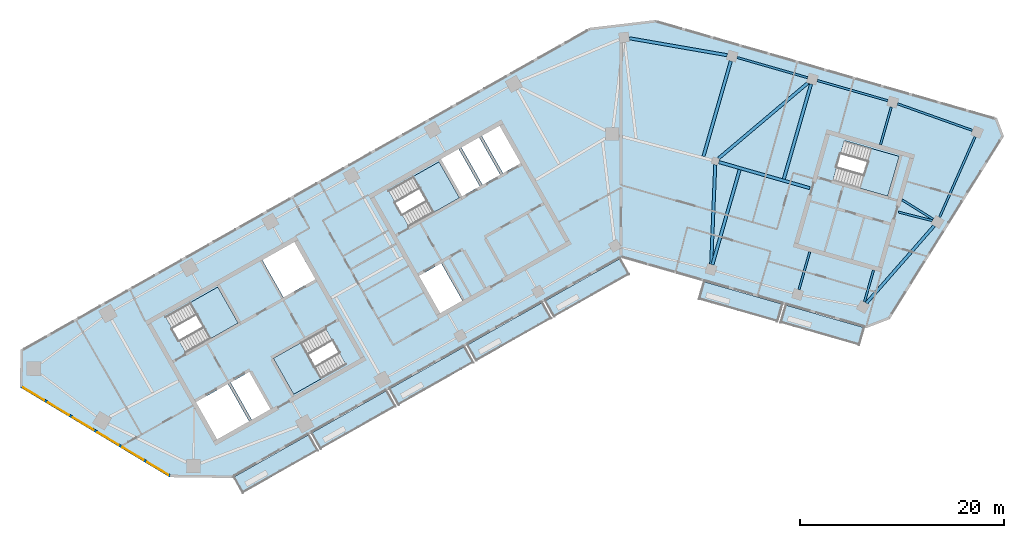
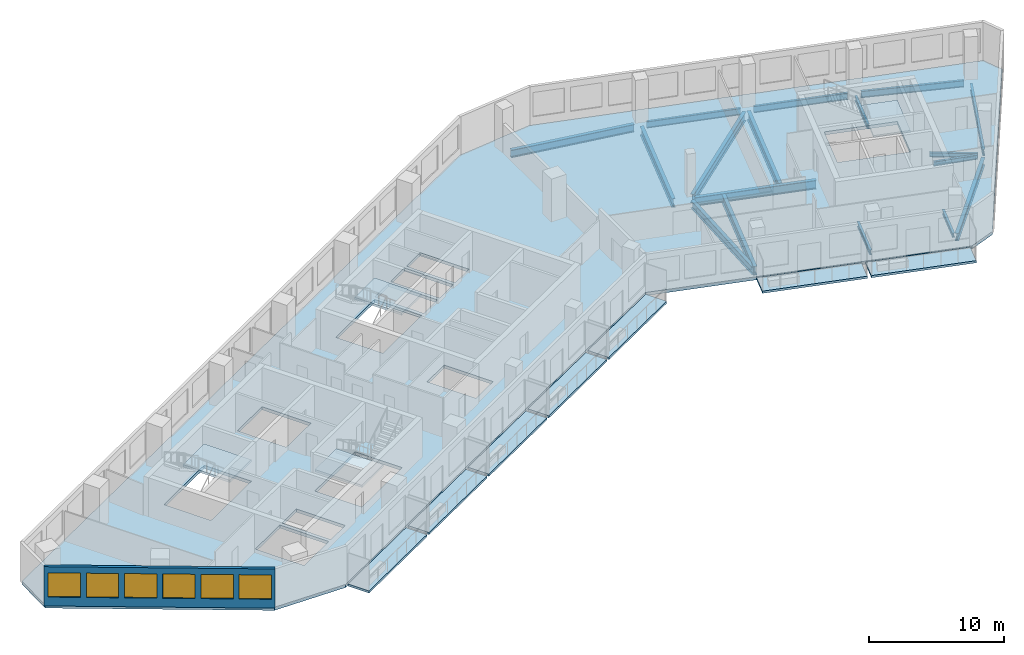
# One storey, part 2 of 11: 17 beams, 12 slabs, 6 windows, 1 wall, 6 openings, 4 elements without a shape of their own.
"""IFC4 building model written with IfcOpenShell, lengths in metres."""

from ifc_helpers import new_model, si_unit, direction, frame, frame_2d, origin, origin_2d, place, context, subcontext, project, spatial, polyline, rectangle, i_section, outline, extrude, material, layer, layer_set, material_profile, profile_set, type_object, element, fill, aggregate, save


model = new_model("IFC4")

# Units and contexts
model_context = context("Model", 3, precision=1e-05, world=origin(), true_north=direction((0.0, 1.0)))
body_context = subcontext(model_context, "Body", "Model", "MODEL_VIEW")
ifc_project = project(units=[si_unit("LENGTHUNIT", "METRE"), si_unit("AREAUNIT", "SQUARE_METRE"), si_unit("VOLUMEUNIT", "CUBIC_METRE"), si_unit("PLANEANGLEUNIT", "RADIAN"), si_unit("MASSUNIT", "GRAM", prefix="KILO")], contexts=[model_context])

# Site, building, storey
site_placement = place(None, origin())
site = spatial("IfcSite", under=ifc_project, at=site_placement, CompositionType="ELEMENT")
building_placement = place(site_placement, origin())
building = spatial("IfcBuilding", under=site, at=building_placement, Name="Binnacle Exchange Tower", CompositionType="ELEMENT")
storey_placement = place(building_placement, frame((0.0, 0.0, 227.0)))
storey = spatial("IfcBuildingStorey", under=building, at=storey_placement, Name="L50", CompositionType="ELEMENT", Elevation=227.0)

# Beams
ifc_material_1 = material(Name="Steel S355 (SHN355)", Category="steel")
ifc_material_profile_1 = material_profile(ifc_material_1, i_section(OverallWidth=0.199951171875, OverallDepth=0.60009765625, WebThickness=0.010986328125, FlangeThickness=0.01708984375, FilletRadius=0.02197265625, at=origin_2d()), Name="H 600x200x11x17")
ifc_profile_set_1 = profile_set([ifc_material_profile_1], Name="Steel S355 (SHN355)")
beam_type_1 = type_object("IfcBeamType", Name="Edge girder H 600x200x11x17 Steel S355 (SHN355)", PredefinedType="SPANDREL", material=ifc_profile_set_1)
beam_1_placement = place(storey_placement, frame((18.265625, 65.513916015625, -0.580078125), z_axis=(-0.961255050864, 0.275660528891, 0.0), x_axis=(-0.275660528891, -0.961255050864, 0.0)))
element("IfcBeam", 1, at=beam_1_placement, inside=storey, type_object=beam_type_1, Name="S:BM:edge:L50:029", PredefinedType="SPANDREL", context=body_context, shape_type="SweptSolid", body=[
    extrude(i_section(OverallWidth=0.199951171875, OverallDepth=0.60009765625, WebThickness=0.010986328125, FlangeThickness=0.01708984375, FilletRadius=0.02197265625, at=origin_2d()), origin(), (0.0, 0.0, 1.0), 7.1728515625),
])
beam_2_placement = place(storey_placement, frame((26.1220703125, 63.26123046875, -0.580078125), z_axis=(-0.96126665508, 0.275620060647, 0.0), x_axis=(-0.275620060647, -0.96126665508, 0.0)))
element("IfcBeam", 2, at=beam_2_placement, inside=storey, type_object=beam_type_1, Name="S:BM:edge:L50:031", PredefinedType="SPANDREL", context=body_context, shape_type="SweptSolid", body=[
    extrude(i_section(OverallWidth=0.199951171875, OverallDepth=0.60009765625, WebThickness=0.010986328125, FlangeThickness=0.01708984375, FilletRadius=0.02197265625, at=origin_2d()), origin(), (0.0, 0.0, 1.0), 7.173095703125),
])
ifc_material_profile_2 = material_profile(ifc_material_1, i_section(OverallWidth=0.200927734375, OverallDepth=0.60595703125, WebThickness=0.011962890625, FlangeThickness=0.02001953125, FilletRadius=0.02197265625, at=origin_2d()), Name="H 606x201x12x20")
ifc_profile_set_2 = profile_set([ifc_material_profile_2], Name="Steel S355 (SHN355)")
beam_type_2 = type_object("IfcBeamType", Name="Edge girder H 606x201x12x20 Steel S355 (SHN355)", PredefinedType="SPANDREL", material=ifc_profile_set_2)
beam_3_placement = place(storey_placement, frame((34.3984375, 60.3544921875, -0.5830078125), z_axis=(-0.942323270608, 0.334704128553, 0.0), x_axis=(-0.334704128553, -0.942323270608, 0.0)))
element("IfcBeam", 3, at=beam_3_placement, inside=storey, type_object=beam_type_2, Name="S:BM:edge:L50:033", PredefinedType="SPANDREL", context=body_context, shape_type="SweptSolid", body=[
    extrude(i_section(OverallWidth=0.200927734375, OverallDepth=0.60595703125, WebThickness=0.011962890625, FlangeThickness=0.02001953125, FilletRadius=0.02197265625, at=origin_2d()), origin(), (0.0, 0.0, 1.0), 7.77197265625),
])
ifc_material_profile_3 = material_profile(ifc_material_1, i_section(OverallWidth=0.201904296875, OverallDepth=0.612060546875, WebThickness=0.012939453125, FlangeThickness=0.02294921875, FilletRadius=0.02197265625, at=origin_2d()), Name="H 612x202x13x23")
ifc_profile_set_3 = profile_set([ifc_material_profile_3], Name="Steel S355 (SHN355)")
beam_type_3 = type_object("IfcBeamType", Name="Edge girder H 612x202x13x23 Steel S355 (SHN355)", PredefinedType="SPANDREL", material=ifc_profile_set_3)
beam_4_placement = place(storey_placement, frame((31.193359375, 51.848388671875, -0.5859375), z_axis=(0.403459457176, 0.914997522628, 0.0), x_axis=(-0.914997522628, 0.403459457176, 0.0)))
element("IfcBeam", 4, at=beam_4_placement, inside=storey, type_object=beam_type_3, Name="S:BM:edge:L50:032", PredefinedType="SPANDREL", context=body_context, shape_type="SweptSolid", body=[
    extrude(i_section(OverallWidth=0.201904296875, OverallDepth=0.612060546875, WebThickness=0.012939453125, FlangeThickness=0.02294921875, FilletRadius=0.02197265625, at=origin_2d()), origin(), (0.0, 0.0, 1.0), 8.61328125),
])
ifc_material_profile_4 = material_profile(ifc_material_1, i_section(OverallWidth=0.300048828125, OverallDepth=0.699951171875, WebThickness=0.012939453125, FlangeThickness=0.02392578125, FilletRadius=0.028076171875, at=origin_2d()), Name="H 700x300x13x24")
ifc_profile_set_4 = profile_set([ifc_material_profile_4], Name="Steel S355 (SHN355)")
beam_type_4 = type_object("IfcBeamType", Name="Edge girder H 700x300x13x24 Steel S355 (SHN355)", PredefinedType="SPANDREL", material=ifc_profile_set_4)
beam_5_placement = place(storey_placement, frame((10.39453125, 67.71484375, -0.6298828125), z_axis=(-0.985315512383, 0.170743494921, 0.0), x_axis=(-0.170743494921, -0.985315512383, 0.0)))
element("IfcBeam", 5, at=beam_5_placement, inside=storey, type_object=beam_type_4, Name="S:BM:edge:L50:027", PredefinedType="SPANDREL", context=body_context, shape_type="SweptSolid", body=[
    extrude(i_section(OverallWidth=0.300048828125, OverallDepth=0.699951171875, WebThickness=0.012939453125, FlangeThickness=0.02392578125, FilletRadius=0.028076171875, at=origin_2d()), origin(), (0.0, 0.0, 1.0), 9.72314453125),
])
beam_6_placement = place(storey_placement, frame((24.026123046875, 43.44580078125, -0.6298828125), z_axis=(0.659336218273, 0.751848223562, 0.0), x_axis=(-0.751848223562, 0.659336218273, 0.0)))
element("IfcBeam", 6, at=beam_6_placement, inside=storey, type_object=beam_type_4, Name="S:BM:edge:L50:030", PredefinedType="SPANDREL", context=body_context, shape_type="SweptSolid", body=[
    extrude(i_section(OverallWidth=0.300048828125, OverallDepth=0.699951171875, WebThickness=0.012939453125, FlangeThickness=0.02392578125, FilletRadius=0.028076171875, at=origin_2d()), origin(), (0.0, 0.0, 1.0), 10.0546875),
])
ifc_material_profile_5 = material_profile(ifc_material_1, i_section(OverallWidth=0.199951171875, OverallDepth=0.39990234375, WebThickness=0.008056640625, FlangeThickness=0.012939453125, FilletRadius=0.01611328125, at=origin_2d()), Name="H 400x200x8x13")
ifc_profile_set_5 = profile_set([ifc_material_profile_5], Name="Steel S355 (SHN355)")
beam_type_5 = type_object("IfcBeamType", Name="Floor beam H 400x200x8x13 Steel S355 (SHN355)", PredefinedType="BEAM", material=ifc_profile_set_5)
beam_7_placement = place(storey_placement, frame((23.832275390625, 43.55810546875, -0.47998046875), z_axis=(0.275607869103, 0.961270150628, 0.0), x_axis=(-0.961270150628, 0.275607869103, 0.0)))
element("IfcBeam", 7, at=beam_7_placement, inside=storey, type_object=beam_type_5, Name="S:BM:cross:L50:051", PredefinedType="BEAM", context=body_context, shape_type="SweptSolid", body=[
    extrude(i_section(OverallWidth=0.199951171875, OverallDepth=0.39990234375, WebThickness=0.008056640625, FlangeThickness=0.012939453125, FilletRadius=0.01611328125, at=origin_2d()), origin(), (0.0, 0.0, 1.0), 3.23583984375),
])
beam_8_placement = place(storey_placement, frame((30.5654296875, 51.6513671875, -0.47998046875), z_axis=(-0.848078408173, 0.529870751779, 0.0), x_axis=(-0.529870751779, -0.848078408173, 0.0)))
element("IfcBeam", 8, at=beam_8_placement, inside=storey, type_object=beam_type_5, Name="S:BM:cross:L50:053", PredefinedType="BEAM", context=body_context, shape_type="SweptSolid", body=[
    extrude(i_section(OverallWidth=0.199951171875, OverallDepth=0.39990234375, WebThickness=0.008056640625, FlangeThickness=0.012939453125, FilletRadius=0.01611328125, at=origin_2d()), origin(), (0.0, 0.0, 1.0), 3.59521484375),
])
ifc_material_profile_6 = material_profile(ifc_material_1, i_section(OverallWidth=0.199951171875, OverallDepth=0.449951171875, WebThickness=0.009033203125, FlangeThickness=0.013916015625, FilletRadius=0.01806640625, at=origin_2d()), Name="H 450x200x9x14")
ifc_profile_set_6 = profile_set([ifc_material_profile_6], Name="Steel S355 (SHN355)")
beam_type_6 = type_object("IfcBeamType", Name="Floor beam H 450x200x9x14 Steel S355 (SHN355)", PredefinedType="BEAM", material=ifc_profile_set_6)
for number, where, z_axis, x_axis, name in (
    (9, (17.426025390625, 44.771728515625, -0.5048828125), (0.27564586602, 0.961259255636, 0.0), (-0.961259255636, 0.27564586602, 0.0), "S:BM:cross:L50:049"),
    (10, (26.46484375, 62.642822265625, -0.5048828125), (-0.27564586602, -0.961259255636, 0.0), (0.961259255636, -0.27564586602, 0.0), "S:BM:cross:L50:052"),
):
    element("IfcBeam", number, at=place(storey_placement, frame(where, z_axis=z_axis, x_axis=x_axis)), inside=storey, type_object=beam_type_6, Name=name, PredefinedType="BEAM", context=body_context, shape_type="SweptSolid", body=[
        extrude(i_section(OverallWidth=0.199951171875, OverallDepth=0.449951171875, WebThickness=0.009033203125, FlangeThickness=0.013916015625, FilletRadius=0.01806640625, at=origin_2d()), origin(), (0.0, 0.0, 1.0), 3.835205078125),
    ])
ifc_material_profile_7 = material_profile(ifc_material_1, i_section(OverallWidth=0.300048828125, OverallDepth=0.800048828125, WebThickness=0.013916015625, FlangeThickness=0.02587890625, FilletRadius=0.028076171875, at=origin_2d()), Name="H 800x300x14x26")
ifc_profile_set_7 = profile_set([ifc_material_profile_7], Name="Steel S355 (SHN355)")
beam_type_7 = type_object("IfcBeamType", Name="Floor beam H 800x300x14x26 Steel S355 (SHN355)", PredefinedType="BEAM", material=ifc_profile_set_7)
beam_9_placement = place(storey_placement, frame((8.947265625, 47.202880859375, -0.679931640625), z_axis=(0.275643212873, 0.961260016435, 0.0), x_axis=(-0.961260016435, 0.275643212873, 0.0)))
element("IfcBeam", 11, at=beam_9_placement, inside=storey, type_object=beam_type_7, Name="S:BM:cross:L50:047", PredefinedType="BEAM", context=body_context, shape_type="SweptSolid", body=[
    extrude(i_section(OverallWidth=0.300048828125, OverallDepth=0.800048828125, WebThickness=0.013916015625, FlangeThickness=0.02587890625, FilletRadius=0.028076171875, at=origin_2d()), origin(), (0.0, 0.0, 1.0), 9.685302734375),
])
beam_10_placement = place(storey_placement, frame((10.752197265625, 67.1484375, -0.679931640625), z_axis=(-0.275623948616, -0.96126554029, 0.0), x_axis=(0.96126554029, -0.275623948616, 0.0)))
element("IfcBeam", 12, at=beam_10_placement, inside=storey, type_object=beam_type_7, Name="S:BM:cross:L50:048", PredefinedType="BEAM", context=body_context, shape_type="SweptSolid", body=[
    extrude(i_section(OverallWidth=0.300048828125, OverallDepth=0.800048828125, WebThickness=0.013916015625, FlangeThickness=0.02587890625, FilletRadius=0.028076171875, at=origin_2d()), origin(), (0.0, 0.0, 1.0), 9.71337890625),
])
beam_11_placement = place(storey_placement, frame((18.6083984375, 64.8955078125, -0.679931640625), z_axis=(-0.275626599208, -0.961264780281, 0.0), x_axis=(0.961264780281, -0.275626599208, 0.0)))
element("IfcBeam", 13, at=beam_11_placement, inside=storey, type_object=beam_type_7, Name="S:BM:cross:L50:050", PredefinedType="BEAM", context=body_context, shape_type="SweptSolid", body=[
    extrude(i_section(OverallWidth=0.300048828125, OverallDepth=0.800048828125, WebThickness=0.013916015625, FlangeThickness=0.02587890625, FilletRadius=0.028076171875, at=origin_2d()), origin(), (0.0, 0.0, 1.0), 9.68505859375),
])
ifc_material_profile_8 = material_profile(ifc_material_1, i_section(OverallWidth=0.199951171875, OverallDepth=0.39990234375, WebThickness=0.008056640625, FlangeThickness=0.012939453125, FilletRadius=0.01611328125, at=origin_2d()), Name="H 400x200x8x13")
ifc_profile_set_8 = profile_set([ifc_material_profile_8], Name="Steel S355 (SHN355)")
beam_type_8 = type_object("IfcBeamType", Name="Spine girder H 400x200x8x13 Steel S355 (SHN355)", PredefinedType="BEAM", material=ifc_profile_set_8)
beam_12_placement = place(storey_placement, frame((27.17138671875, 52.35400390625, -0.47998046875), z_axis=(0.969354959992, -0.245664326957, 0.0), x_axis=(0.245664326957, 0.969354959992, 0.0)))
element("IfcBeam", 14, at=beam_12_placement, inside=storey, type_object=beam_type_8, Name="S:BM:spine:L50:010", PredefinedType="BEAM", context=body_context, shape_type="SweptSolid", body=[
    extrude(i_section(OverallWidth=0.199951171875, OverallDepth=0.39990234375, WebThickness=0.008056640625, FlangeThickness=0.012939453125, FilletRadius=0.01611328125, at=origin_2d()), origin(), (0.0, 0.0, 1.0), 3.41357421875),
])
ifc_material_profile_9 = material_profile(ifc_material_1, i_section(OverallWidth=0.300048828125, OverallDepth=0.699951171875, WebThickness=0.012939453125, FlangeThickness=0.02392578125, FilletRadius=0.028076171875, at=origin_2d()), Name="H 700x300x13x24")
ifc_profile_set_9 = profile_set([ifc_material_profile_9], Name="Steel S355 (SHN355)")
beam_type_9 = type_object("IfcBeamType", Name="Spine girder H 700x300x13x24 Steel S355 (SHN355)", PredefinedType="BEAM", material=ifc_profile_set_9)
beam_13_placement = place(storey_placement, frame((9.226318359375, 56.990234375, -0.6298828125), z_axis=(-0.040566314933, -0.999176848257, 0.0), x_axis=(0.999176848257, -0.040566314933, 0.0)))
element("IfcBeam", 15, at=beam_13_placement, inside=storey, type_object=beam_type_9, Name="S:BM:spine:L50:007", PredefinedType="BEAM", context=body_context, shape_type="SweptSolid", body=[
    extrude(i_section(OverallWidth=0.300048828125, OverallDepth=0.699951171875, WebThickness=0.012939453125, FlangeThickness=0.02392578125, FilletRadius=0.028076171875, at=origin_2d()), origin(), (0.0, 0.0, 1.0), 9.76171875),
])
ifc_material_profile_10 = material_profile(ifc_material_1, i_section(OverallWidth=0.300048828125, OverallDepth=0.800048828125, WebThickness=0.013916015625, FlangeThickness=0.02587890625, FilletRadius=0.028076171875, at=origin_2d()), Name="H 800x300x14x26")
ifc_profile_set_10 = profile_set([ifc_material_profile_10], Name="Steel S355 (SHN355)")
beam_type_10 = type_object("IfcBeamType", Name="Spine girder H 800x300x14x26 Steel S355 (SHN355)", PredefinedType="BEAM", material=ifc_profile_set_10)
beam_14_placement = place(storey_placement, frame((9.577392578125, 57.253662109375, -0.679931640625), z_axis=(0.961262936931, -0.275633027924, 0.0), x_axis=(0.275633027924, 0.961262936931, 0.0)))
element("IfcBeam", 16, at=beam_14_placement, inside=storey, type_object=beam_type_10, Name="S:BM:spine:L50:009", PredefinedType="BEAM", context=body_context, shape_type="SweptSolid", body=[
    extrude(i_section(OverallWidth=0.300048828125, OverallDepth=0.800048828125, WebThickness=0.013916015625, FlangeThickness=0.02587890625, FilletRadius=0.028076171875, at=origin_2d()), origin(), (0.0, 0.0, 1.0), 9.26318359375),
])
ifc_material_profile_11 = material_profile(ifc_material_1, i_section(OverallWidth=0.302001953125, OverallDepth=0.80810546875, WebThickness=0.01611328125, FlangeThickness=0.030029296875, FilletRadius=0.028076171875, at=origin_2d()), Name="H 808x302x16x30")
ifc_profile_set_11 = profile_set([ifc_material_profile_11], Name="Steel S355 (SHN355)")
beam_type_11 = type_object("IfcBeamType", Name="Spine girder H 808x302x16x30 Steel S355 (SHN355)", PredefinedType="BEAM", material=ifc_profile_set_11)
beam_15_placement = place(storey_placement, frame((9.562744140625, 57.6220703125, -0.68408203125), z_axis=(0.764068797706, 0.645134770704, 0.0), x_axis=(-0.645134770704, 0.764068797706, 0.0)))
element("IfcBeam", 17, at=beam_15_placement, inside=storey, type_object=beam_type_11, Name="S:BM:spine:L50:008", PredefinedType="BEAM", context=body_context, shape_type="SweptSolid", body=[
    extrude(i_section(OverallWidth=0.302001953125, OverallDepth=0.80810546875, WebThickness=0.01611328125, FlangeThickness=0.030029296875, FilletRadius=0.028076171875, at=origin_2d()), origin(), (0.0, 0.0, 1.0), 11.417236328125),
])

# Slabs
ifc_material_2 = material(Name="Concrete C35/45", Category="concrete")
ifc_layer_1 = layer(ifc_material_2, 0.199951171875)
ifc_layer_set_1 = layer_set([ifc_layer_1], Name="BALCONY SLAB 200")
slab_type_1 = type_object("IfcSlabType", Name="BALCONY SLAB 200", PredefinedType="FLOOR", material=ifc_layer_set_1)
slab_1_placement = place(storey_placement, frame((0.0, 0.0, -0.199951171875)))
element("IfcSlab", 18, at=slab_1_placement, inside=storey, type_object=slab_type_1, Name="Balcony BA-G01-00 L50", PredefinedType="FLOOR", context=body_context, shape_type="SweptSolid", body=[
    extrude(outline(polyline([(-37.90576171875, 26.410400390625), (-30.54736328125, 30.573486328125), (-29.660888671875, 29.0068359375), (-37.019287109375, 24.84375), (-37.90576171875, 26.410400390625)])), origin(), (0.0, 0.0, 1.0), 0.199951171875),
])
slab_2_placement = place(storey_placement, frame((0.0, 0.0, -0.199951171875)))
element("IfcSlab", 19, at=slab_2_placement, inside=storey, type_object=slab_type_1, Name="Balcony BA-G01-01 L50", PredefinedType="FLOOR", context=body_context, shape_type="SweptSolid", body=[
    extrude(outline(polyline([(-30.2861328125, 30.72119140625), (-22.927734375, 34.884521484375), (-22.041259765625, 33.31787109375), (-29.39990234375, 29.15478515625), (-30.2861328125, 30.72119140625)])), origin(), (0.0, 0.0, 1.0), 0.199951171875),
])
slab_3_placement = place(storey_placement, frame((0.0, 0.0, -0.199951171875)))
element("IfcSlab", 20, at=slab_3_placement, inside=storey, type_object=slab_type_1, Name="Balcony BA-G01-02 L50", PredefinedType="FLOOR", context=body_context, shape_type="SweptSolid", body=[
    extrude(outline(polyline([(-22.66650390625, 35.0322265625), (-15.30810546875, 39.195556640625), (-14.421875, 37.62890625), (-21.7802734375, 33.465576171875), (-22.66650390625, 35.0322265625)])), origin(), (0.0, 0.0, 1.0), 0.199951171875),
])
slab_4_placement = place(storey_placement, frame((0.0, 0.0, -0.199951171875)))
element("IfcSlab", 21, at=slab_4_placement, inside=storey, type_object=slab_type_1, Name="Balcony BA-G01-03 L50", PredefinedType="FLOOR", context=body_context, shape_type="SweptSolid", body=[
    extrude(outline(polyline([(-15.047119140625, 39.34326171875), (-7.6884765625, 43.50634765625), (-6.802001953125, 41.939697265625), (-14.16064453125, 37.776611328125), (-15.047119140625, 39.34326171875)])), origin(), (0.0, 0.0, 1.0), 0.199951171875),
])
slab_5_placement = place(storey_placement, frame((0.0, 0.0, -0.199951171875)))
element("IfcSlab", 22, at=slab_5_placement, inside=storey, type_object=slab_type_1, Name="Balcony BA-G01-04 L50", PredefinedType="FLOOR", context=body_context, shape_type="SweptSolid", body=[
    extrude(outline(polyline([(-7.427490234375, 43.654296875), (-0.069091796875, 47.8173828125), (0.8173828125, 46.250732421875), (-6.541015625, 42.08740234375), (-7.427490234375, 43.654296875)])), origin(), (0.0, 0.0, 1.0), 0.199951171875),
])
slab_6_placement = place(storey_placement, frame((0.0, 0.0, -0.199951171875)))
element("IfcSlab", 23, at=slab_6_placement, inside=storey, type_object=slab_type_1, Name="Balcony BA-G02-01 L50", PredefinedType="FLOOR", context=body_context, shape_type="SweptSolid", body=[
    extrude(outline(polyline([(8.10791015625, 45.545166015625), (15.8173828125, 43.33447265625), (15.3212890625, 41.60400390625), (7.61181640625, 43.814697265625), (8.10791015625, 45.545166015625)])), origin(), (0.0, 0.0, 1.0), 0.199951171875),
])
slab_7_placement = place(storey_placement, frame((0.0, 0.0, -0.199951171875)))
element("IfcSlab", 24, at=slab_7_placement, inside=storey, type_object=slab_type_1, Name="Balcony BA-G02-02 L50", PredefinedType="FLOOR", context=body_context, shape_type="SweptSolid", body=[
    extrude(outline(polyline([(16.10595703125, 43.251708984375), (23.815673828125, 41.041015625), (23.319580078125, 39.310791015625), (15.60986328125, 41.521484375), (16.10595703125, 43.251708984375)])), origin(), (0.0, 0.0, 1.0), 0.199951171875),
])
ifc_layer_2 = layer(ifc_material_2, 0.280029296875)
ifc_layer_set_2 = layer_set([ifc_layer_2], Name="Floor slab 280 Concrete C35/45")
slab_type_2 = type_object("IfcSlabType", Name="Floor slab 280 Concrete C35/45", PredefinedType="FLOOR", material=ifc_layer_set_2)
slab_8_placement = place(storey_placement, frame((0.0, 0.0, -0.280029296875)))
element("IfcSlab", 25, at=slab_8_placement, inside=storey, type_object=slab_type_2, Name="S:SL:L50:01", PredefinedType="FLOOR", context=body_context, shape_type="SweptSolid", body=[
    extrude(outline(polyline([(-58.716064453125, 35.280029296875), (-58.669921875, 38.80615234375), (-3.046142578125, 70.276611328125), (3.364501953125, 71.035400390625), (36.71240234375, 61.472900390625), (37.359375, 59.787353515625), (26.23095703125, 41.978515625), (23.994140625, 41.119873046875), (0.0, 48.0), (-38.097900390625, 26.4453125), (-44.14404296875, 26.5244140625), (-58.716064453125, 35.280029296875)]), holes=[polyline([(-38.4794921875, 35.529296875), (-41.61279296875, 33.756591796875), (-39.544677734375, 30.10107421875), (-36.411376953125, 31.873779296875), (-38.4794921875, 35.529296875)]), polyline([(-36.390625, 36.711181640625), (-38.21826171875, 35.677001953125), (-36.150146484375, 32.021484375), (-34.322509765625, 33.0556640625), (-36.390625, 36.711181640625)]), polyline([(-32.04638671875, 34.515625), (-26.9287109375, 37.4111328125), (-28.923095703125, 40.93603515625), (-34.040771484375, 38.04052734375), (-32.04638671875, 34.515625)]), polyline([(-37.486572265625, 41.4912109375), (-39.480712890625, 45.01611328125), (-44.598388671875, 42.12060546875), (-42.604248046875, 38.595703125), (-37.486572265625, 41.4912109375)]), polyline([(-29.914306640625, 45.775390625), (-31.982666015625, 49.430908203125), (-35.115966796875, 47.657958984375), (-33.047607421875, 44.00244140625), (-29.914306640625, 45.775390625)]), polyline([(-17.81689453125, 57.27294921875), (-22.760498046875, 54.47607421875), (-20.76611328125, 50.950927734375), (-15.822509765625, 53.748046875), (-17.81689453125, 57.27294921875)]), polyline([(-15.53076171875, 43.6875), (-17.598876953125, 47.343017578125), (-19.77490234375, 46.11181640625), (-17.70654296875, 42.456298828125), (-15.53076171875, 43.6875)]), polyline([(-13.82080078125, 54.880615234375), (-15.888916015625, 58.5361328125), (-17.629638671875, 57.55126953125), (-15.5615234375, 53.895751953125), (-13.82080078125, 54.880615234375)]), polyline([(27.227783203125, 57.810302734375), (21.864013671875, 59.348388671875), (20.74755859375, 55.455078125), (26.111328125, 53.9169921875), (27.227783203125, 57.810302734375)]), polyline([(-11.819091796875, 56.01318359375), (-13.88720703125, 59.668701171875), (-15.6279296875, 58.683837890625), (-13.559814453125, 55.0283203125), (-11.819091796875, 56.01318359375)]), polyline([(-9.817138671875, 57.145751953125), (-11.885498046875, 60.80126953125), (-13.626220703125, 59.81640625), (-11.557861328125, 56.160888671875), (-9.817138671875, 57.145751953125)])]), origin(), (0.0, 0.0, 1.0), 0.280029296875),
])

# Stair, slab
stair_type = type_object("IfcStairType", Name="STAIR 22 RISERS 177", PredefinedType="HALF_TURN_STAIR", material=ifc_material_2)
stair_1_placement = place(storey_placement, origin())
stair_1 = element("IfcStair", 26, at=stair_1_placement, inside=storey, type_object=stair_type, Name="L50 Escape stair A1", PredefinedType="HALF_TURN_STAIR")
ifc_layer_3 = layer(ifc_material_2, 0.199951171875)
ifc_layer_set_3 = layer_set([ifc_layer_3], Name="STAIR LANDING 200")
slab_type_3 = type_object("IfcSlabType", Name="STAIR LANDING 200", PredefinedType="LANDING", material=ifc_layer_set_3)
slab_9_placement = place(storey_placement, frame((0.0, 0.0, 1.75)))
slab_9 = element("IfcSlab", 27, at=slab_9_placement, type_object=slab_type_3, Name="STA1 landing 1", PredefinedType="LANDING", context=body_context, shape_type="SweptSolid", body=[
    extrude(outline(polyline([(-40.2021484375, 39.954833984375), (-37.486572265625, 41.4912109375), (-39.48095703125, 45.01611328125), (-42.1962890625, 43.479736328125), (-40.2021484375, 39.954833984375)])), origin(), (0.0, 0.0, 1.0), 0.199951171875),
])
aggregate(stair_1, [slab_9])

stair_2_placement = place(storey_placement, origin())
stair_2 = element("IfcStair", 28, at=stair_2_placement, inside=storey, type_object=stair_type, Name="L50 Escape stair A2", PredefinedType="HALF_TURN_STAIR")
slab_10_placement = place(storey_placement, frame((0.0, 0.0, 1.75)))
slab_10 = element("IfcSlab", 29, at=slab_10_placement, type_object=slab_type_3, Name="STA2 landing 1", PredefinedType="LANDING", context=body_context, shape_type="SweptSolid", body=[
    extrude(outline(polyline([(-31.3251953125, 39.576904296875), (-34.040771484375, 38.04052734375), (-32.04638671875, 34.515625), (-29.330810546875, 36.052001953125), (-31.3251953125, 39.576904296875)])), origin(), (0.0, 0.0, 1.0), 0.199951171875),
])
aggregate(stair_2, [slab_10])

stair_3_placement = place(storey_placement, origin())
stair_3 = element("IfcStair", 30, at=stair_3_placement, inside=storey, type_object=stair_type, Name="L50 Escape stair C1", PredefinedType="HALF_TURN_STAIR")
slab_11_placement = place(storey_placement, frame((0.0, 0.0, 1.75)))
slab_11 = element("IfcSlab", 31, at=slab_11_placement, type_object=slab_type_3, Name="STC1 landing 1", PredefinedType="LANDING", context=body_context, shape_type="SweptSolid", body=[
    extrude(outline(polyline([(-18.364013671875, 52.31005859375), (-15.822509765625, 53.748046875), (-17.81689453125, 57.27294921875), (-20.3583984375, 55.8349609375), (-18.364013671875, 52.31005859375)])), origin(), (0.0, 0.0, 1.0), 0.199951171875),
])
aggregate(stair_3, [slab_11])

stair_4_placement = place(storey_placement, origin())
stair_4 = element("IfcStair", 32, at=stair_4_placement, inside=storey, type_object=stair_type, Name="L50 Escape stair D1", PredefinedType="HALF_TURN_STAIR")
slab_12_placement = place(storey_placement, frame((0.0, 0.0, 1.75)))
slab_12 = element("IfcSlab", 33, at=slab_12_placement, type_object=slab_type_3, Name="STD1 landing 1", PredefinedType="LANDING", context=body_context, shape_type="SweptSolid", body=[
    extrude(outline(polyline([(23.400634765625, 54.6943359375), (26.111328125, 53.917236328125), (27.227783203125, 57.810302734375), (24.516845703125, 58.587646484375), (23.400634765625, 54.6943359375)])), origin(), (0.0, 0.0, 1.0), 0.199951171875),
])
aggregate(stair_4, [slab_12])

# Wall, openings, windows
ifc_material_3 = material(Name="Bronze aluminium cladding", Category="aluminium")
ifc_layer_4 = layer(ifc_material_3, 0.25)
ifc_layer_set_4 = layer_set([ifc_layer_4], Name="External wall - window wall 250")
wall_type = type_object("IfcWallType", Name="External wall - window wall 250", PredefinedType="STANDARD", material=ifc_layer_set_4)
wall_placement = place(storey_placement, frame((-44.115234375, 26.507080078125, 0.0), z_axis=(0.0, 0.0, 1.0), x_axis=(-0.857166583633, 0.515039268311, 0.0)))
wall = element("IfcWall", 34, at=wall_placement, inside=storey, type_object=wall_type, Name="External wall EW-G10 L50", PredefinedType="STANDARD", context=body_context, shape_type="SweptSolid", body=[
    extrude(rectangle(XDim=17.105712890625, YDim=0.25, at=frame_2d((8.552734375, 0.0))), origin(), (0.0, 0.0, 1.0), 3.550048828125),
])
opening_1_placement = place(wall_placement, frame((14.4169921875, 0.0, 0.800048828125)))
opening_1 = element("IfcOpeningElement", 35, at=opening_1_placement, cuts=wall, Name="Opening WR1", PredefinedType="OPENING", context=body_context, shape_type="SweptSolid", body=[
    extrude(rectangle(XDim=2.39990234375, YDim=2.199951171875, at=frame_2d((1.199951171875, 1.10009765625))), frame((0.0, 0.135009765625, 0.0), z_axis=(0.0, -1.0, 0.0), x_axis=(1.0, 0.0, 0.0)), (0.0, 0.0, 1.0), 0.27001953125),
])
opening_2_placement = place(wall_placement, frame((11.583740234375, 0.0, 0.800048828125)))
opening_2 = element("IfcOpeningElement", 36, at=opening_2_placement, cuts=wall, Name="Opening WR1", PredefinedType="OPENING", context=body_context, shape_type="SweptSolid", body=[
    extrude(rectangle(XDim=2.39990234375, YDim=2.199951171875, at=frame_2d((1.199951171875, 1.10009765625))), frame((0.0, 0.135009765625, 0.0), z_axis=(0.0, -1.0, 0.0), x_axis=(1.0, 0.0, 0.0)), (0.0, 0.0, 1.0), 0.27001953125),
])
opening_3_placement = place(wall_placement, frame((8.75048828125, 0.0, 0.800048828125)))
opening_3 = element("IfcOpeningElement", 37, at=opening_3_placement, cuts=wall, Name="Opening WR1", PredefinedType="OPENING", context=body_context, shape_type="SweptSolid", body=[
    extrude(rectangle(XDim=2.39990234375, YDim=2.199951171875, at=frame_2d((1.199951171875, 1.10009765625))), frame((0.0, 0.135009765625, 0.0), z_axis=(0.0, -1.0, 0.0), x_axis=(1.0, 0.0, 0.0)), (0.0, 0.0, 1.0), 0.27001953125),
])
opening_4_placement = place(wall_placement, frame((5.9169921875, 0.0, 0.800048828125)))
opening_4 = element("IfcOpeningElement", 38, at=opening_4_placement, cuts=wall, Name="Opening WR1", PredefinedType="OPENING", context=body_context, shape_type="SweptSolid", body=[
    extrude(rectangle(XDim=2.39990234375, YDim=2.199951171875, at=frame_2d((1.199951171875, 1.10009765625))), frame((0.0, 0.135009765625, 0.0), z_axis=(0.0, -1.0, 0.0), x_axis=(1.0, 0.0, 0.0)), (0.0, 0.0, 1.0), 0.27001953125),
])
opening_5_placement = place(wall_placement, frame((3.083740234375, 0.0, 0.800048828125)))
opening_5 = element("IfcOpeningElement", 39, at=opening_5_placement, cuts=wall, Name="Opening WR1", PredefinedType="OPENING", context=body_context, shape_type="SweptSolid", body=[
    extrude(rectangle(XDim=2.39990234375, YDim=2.199951171875, at=frame_2d((1.199951171875, 1.10009765625))), frame((0.0, 0.135009765625, 0.0), z_axis=(0.0, -1.0, 0.0), x_axis=(1.0, 0.0, 0.0)), (0.0, 0.0, 1.0), 0.27001953125),
])
opening_6_placement = place(wall_placement, frame((0.25048828125, 0.0, 0.800048828125)))
opening_6 = element("IfcOpeningElement", 40, at=opening_6_placement, cuts=wall, Name="Opening WR1", PredefinedType="OPENING", context=body_context, shape_type="SweptSolid", body=[
    extrude(rectangle(XDim=2.39990234375, YDim=2.199951171875, at=frame_2d((1.199951171875, 1.10009765625))), frame((0.0, 0.135009765625, 0.0), z_axis=(0.0, -1.0, 0.0), x_axis=(1.0, 0.0, 0.0)), (0.0, 0.0, 1.0), 0.27001953125),
])
ifc_material_4 = material(Name="Bronze anodised aluminium frame", Category="aluminium")
window_type = type_object("IfcWindowType", Name="WR1 WINDOW 2400x2200", PartitioningType="SINGLE_PANEL", PredefinedType="WINDOW", material=ifc_material_4)
window_1_placement = place(opening_1_placement, origin())
window_1 = element("IfcWindow", 41, at=window_1_placement, inside=storey, type_object=window_type, Name="Window WR1 L50", OverallHeight=2.199951171875, OverallWidth=2.39990234375, PartitioningType="SINGLE_PANEL", PredefinedType="WINDOW", context=body_context, shape_type="SweptSolid", body=[
    extrude(rectangle(XDim=2.39990234375, YDim=2.199951171875, at=frame_2d((1.199951171875, 1.10009765625))), frame((0.0, 0.030029296875, 0.0), z_axis=(0.0, -1.0, 0.0), x_axis=(1.0, 0.0, 0.0)), (0.0, 0.0, 1.0), 0.06005859375),
])
fill(opening_1, window_1)
window_2_placement = place(opening_2_placement, origin())
window_2 = element("IfcWindow", 42, at=window_2_placement, inside=storey, type_object=window_type, Name="Window WR1 L50", OverallHeight=2.199951171875, OverallWidth=2.39990234375, PartitioningType="SINGLE_PANEL", PredefinedType="WINDOW", context=body_context, shape_type="SweptSolid", body=[
    extrude(rectangle(XDim=2.39990234375, YDim=2.199951171875, at=frame_2d((1.199951171875, 1.10009765625))), frame((0.0, 0.030029296875, 0.0), z_axis=(0.0, -1.0, 0.0), x_axis=(1.0, 0.0, 0.0)), (0.0, 0.0, 1.0), 0.06005859375),
])
fill(opening_2, window_2)
window_3_placement = place(opening_3_placement, origin())
window_3 = element("IfcWindow", 43, at=window_3_placement, inside=storey, type_object=window_type, Name="Window WR1 L50", OverallHeight=2.199951171875, OverallWidth=2.39990234375, PartitioningType="SINGLE_PANEL", PredefinedType="WINDOW", context=body_context, shape_type="SweptSolid", body=[
    extrude(rectangle(XDim=2.39990234375, YDim=2.199951171875, at=frame_2d((1.199951171875, 1.10009765625))), frame((0.0, 0.030029296875, 0.0), z_axis=(0.0, -1.0, 0.0), x_axis=(1.0, 0.0, 0.0)), (0.0, 0.0, 1.0), 0.06005859375),
])
fill(opening_3, window_3)
window_4_placement = place(opening_4_placement, origin())
window_4 = element("IfcWindow", 44, at=window_4_placement, inside=storey, type_object=window_type, Name="Window WR1 L50", OverallHeight=2.199951171875, OverallWidth=2.39990234375, PartitioningType="SINGLE_PANEL", PredefinedType="WINDOW", context=body_context, shape_type="SweptSolid", body=[
    extrude(rectangle(XDim=2.39990234375, YDim=2.199951171875, at=frame_2d((1.199951171875, 1.10009765625))), frame((0.0, 0.030029296875, 0.0), z_axis=(0.0, -1.0, 0.0), x_axis=(1.0, 0.0, 0.0)), (0.0, 0.0, 1.0), 0.06005859375),
])
fill(opening_4, window_4)
window_5_placement = place(opening_5_placement, origin())
window_5 = element("IfcWindow", 45, at=window_5_placement, inside=storey, type_object=window_type, Name="Window WR1 L50", OverallHeight=2.199951171875, OverallWidth=2.39990234375, PartitioningType="SINGLE_PANEL", PredefinedType="WINDOW", context=body_context, shape_type="SweptSolid", body=[
    extrude(rectangle(XDim=2.39990234375, YDim=2.199951171875, at=frame_2d((1.199951171875, 1.10009765625))), frame((0.0, 0.030029296875, 0.0), z_axis=(0.0, -1.0, 0.0), x_axis=(1.0, 0.0, 0.0)), (0.0, 0.0, 1.0), 0.06005859375),
])
fill(opening_5, window_5)
window_6_placement = place(opening_6_placement, origin())
window_6 = element("IfcWindow", 46, at=window_6_placement, inside=storey, type_object=window_type, Name="Window WR1 L50", OverallHeight=2.199951171875, OverallWidth=2.39990234375, PartitioningType="SINGLE_PANEL", PredefinedType="WINDOW", context=body_context, shape_type="SweptSolid", body=[
    extrude(rectangle(XDim=2.39990234375, YDim=2.199951171875, at=frame_2d((1.199951171875, 1.10009765625))), frame((0.0, 0.030029296875, 0.0), z_axis=(0.0, -1.0, 0.0), x_axis=(1.0, 0.0, 0.0)), (0.0, 0.0, 1.0), 0.06005859375),
])
fill(opening_6, window_6)

save(model, "model.ifc")
